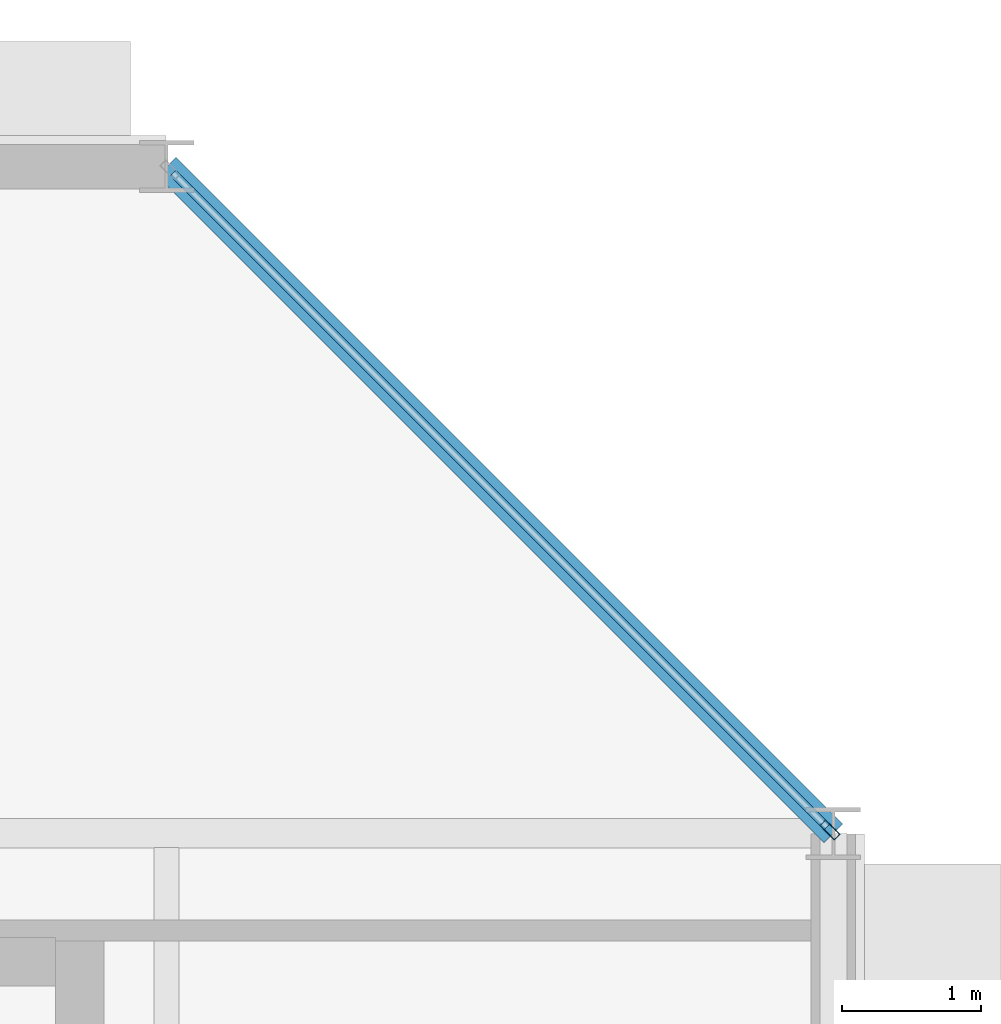
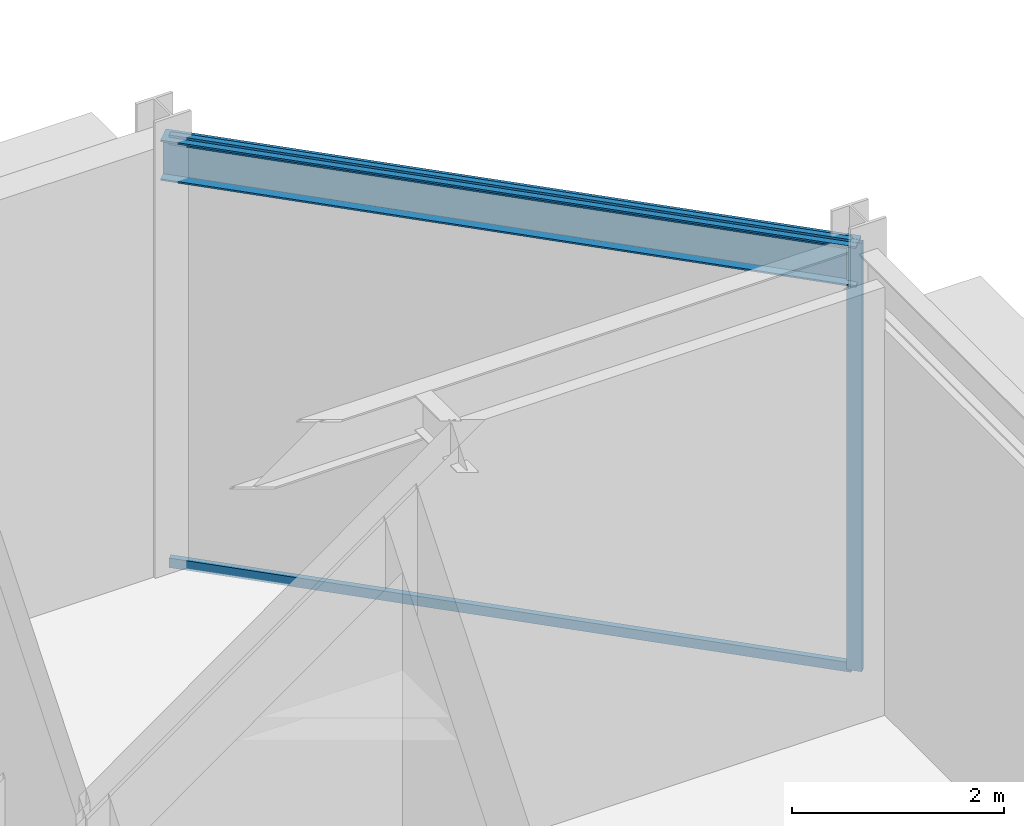
# One storey, part 75 of 168: 3 members, 1 beam, 1 element without a shape of its own.
"""IFC4 building model written with IfcOpenShell, lengths in metres."""

from ifc_helpers import new_model, si_unit, direction, frame, origin, origin_2d, place, context, subcontext, project, spatial, hollow_rectangle, i_section, extrude, material, material_profile, profile_set, type_object, element, aggregate, save


model = new_model("IFC4")

# Units and contexts
model_context = context("Model", 3, precision=1e-05, world=origin(), true_north=direction((0.0, 1.0)))
body_context = subcontext(model_context, "Body", "Model", "MODEL_VIEW")
ifc_project = project(units=[si_unit("LENGTHUNIT", "METRE"), si_unit("AREAUNIT", "SQUARE_METRE"), si_unit("VOLUMEUNIT", "CUBIC_METRE"), si_unit("PLANEANGLEUNIT", "RADIAN"), si_unit("MASSUNIT", "GRAM", prefix="KILO")], contexts=[model_context])

# Site, building, storey
site_placement = place(None, origin())
site = spatial("IfcSite", under=ifc_project, at=site_placement, CompositionType="ELEMENT")
building_placement = place(site_placement, origin())
building = spatial("IfcBuilding", under=site, at=building_placement, Name="Almandine Court Research Institute", CompositionType="ELEMENT")
storey_placement = place(building_placement, origin())
storey = spatial("IfcBuildingStorey", under=building, at=storey_placement, Name="L00", CompositionType="ELEMENT", Elevation=0.0)

# Beam
ifc_material_1 = material(Name="Steel ASTM A992 Grade 50", Category="steel")
ifc_material_profile_1 = material_profile(ifc_material_1, i_section(OverallWidth=0.193115234375, OverallDepth=0.466064453125, WebThickness=0.010986328125, FlangeThickness=0.01904296875, at=origin_2d()), Name="W460x97")
ifc_profile_set_1 = profile_set([ifc_material_profile_1], Name="Steel ASTM A992 Grade 50")
beam_type = type_object("IfcBeamType", Name="Beam-G-06-E", PredefinedType="SPANDREL", material=ifc_profile_set_1)
beam_placement = place(storey_placement, frame((34.800048828125, 112.800048828125, 4.697021484375), z_axis=(-0.707106781187, 0.707106781187, 0.0), x_axis=(-0.707106781187, -0.707106781187, 0.0)))
element("IfcBeam", 1, at=beam_placement, inside=storey, type_object=beam_type, Name="L00 V3 Octagonal Chamfer Spandrel", PredefinedType="SPANDREL", context=body_context, shape_type="SweptSolid", body=[
    extrude(i_section(OverallWidth=0.193115234375, OverallDepth=0.466064453125, WebThickness=0.010986328125, FlangeThickness=0.01904296875, at=origin_2d()), origin(), (0.0, 0.0, 1.0), 6.788330078125),
])

# Curtain wall, members
ifc_material_2 = material(Name="Unitised Curtain Wall Framing and Solar Glazing", Category="glass")
curtain_wall_type = type_object("IfcCurtainWallType", Name="CW-CWG-04", PredefinedType="USERDEFINED", material=ifc_material_2)
curtain_wall_placement = place(storey_placement, origin())
curtain_wall = element("IfcCurtainWall", 2, at=curtain_wall_placement, inside=storey, type_object=curtain_wall_type, Name="L00 Cleanroom NE Chamfer Glazing", ObjectType="UNITISED GLAZING", PredefinedType="USERDEFINED")
ifc_material_3 = material(Name="Anodised Aluminium AW-6063-T6", Category="aluminium")
ifc_material_profile_2 = material_profile(ifc_material_3, hollow_rectangle(XDim=0.06005859375, YDim=0.14990234375, WallThickness=0.00390625, at=origin_2d()), Name="ALU RHS 60x150x4")
ifc_profile_set_2 = profile_set([ifc_material_profile_2], Name="Anodised Aluminium AW-6063-T6")
member_type_1 = type_object("IfcMemberType", Name="CWMul-60x150", PredefinedType="MULLION", material=ifc_profile_set_2)
member_1_placement = place(storey_placement, frame((34.77490234375, 112.8251953125, 0.0), z_axis=(0.0, 0.0, 1.0), x_axis=(0.707106781187, 0.707106781187, 0.0)))
member_1 = element("IfcMember", 3, at=member_1_placement, type_object=member_type_1, Name="CWG-04 mullion 2", PredefinedType="MULLION", context=body_context, shape_type="SweptSolid", body=[
    extrude(hollow_rectangle(XDim=0.06005859375, YDim=0.14990234375, WallThickness=0.00390625, at=origin_2d()), origin(), (0.0, 0.0, 1.0), 4.929931640625),
])
ifc_material_profile_3 = material_profile(ifc_material_3, hollow_rectangle(XDim=0.06005859375, YDim=0.110107421875, WallThickness=0.00390625, at=origin_2d()), Name="ALU RHS 60x110x4")
ifc_profile_set_3 = profile_set([ifc_material_profile_3], Name="Anodised Aluminium AW-6063-T6")
member_type_2 = type_object("IfcMemberType", Name="CWTrn-60x110", PredefinedType="NOTDEFINED", material=ifc_profile_set_3)
member_2_placement = place(storey_placement, frame((30.04638671875, 117.553466796875, 0.030029296875), z_axis=(0.707125118305, -0.707088443593, 0.0), x_axis=(0.707088443593, 0.707125118305, 0.0)))
member_2 = element("IfcMember", 4, at=member_2_placement, type_object=member_type_2, Name="CWG-04 transom 1.1", ObjectType="TRANSOM", PredefinedType="USERDEFINED", context=body_context, shape_type="SweptSolid", body=[
    extrude(hollow_rectangle(XDim=0.06005859375, YDim=0.110107421875, WallThickness=0.00390625, at=origin_2d()), origin(), (0.0, 0.0, 1.0), 6.656982421875),
])
member_3_placement = place(storey_placement, frame((30.04638671875, 117.553466796875, 4.89990234375), z_axis=(0.707125118305, -0.707088443593, 0.0), x_axis=(0.707088443593, 0.707125118305, 0.0)))
member_3 = element("IfcMember", 5, at=member_3_placement, type_object=member_type_2, Name="CWG-04 transom 1.2", ObjectType="TRANSOM", PredefinedType="USERDEFINED", context=body_context, shape_type="SweptSolid", body=[
    extrude(hollow_rectangle(XDim=0.06005859375, YDim=0.110107421875, WallThickness=0.00390625, at=origin_2d()), origin(), (0.0, 0.0, 1.0), 6.656982421875),
])
aggregate(curtain_wall, [member_1, member_2, member_3])

save(model, "model.ifc")
